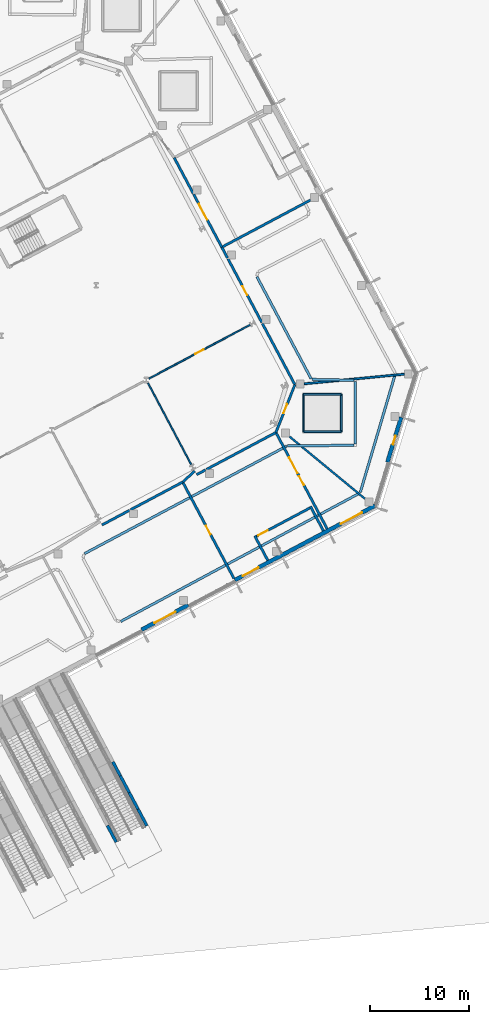
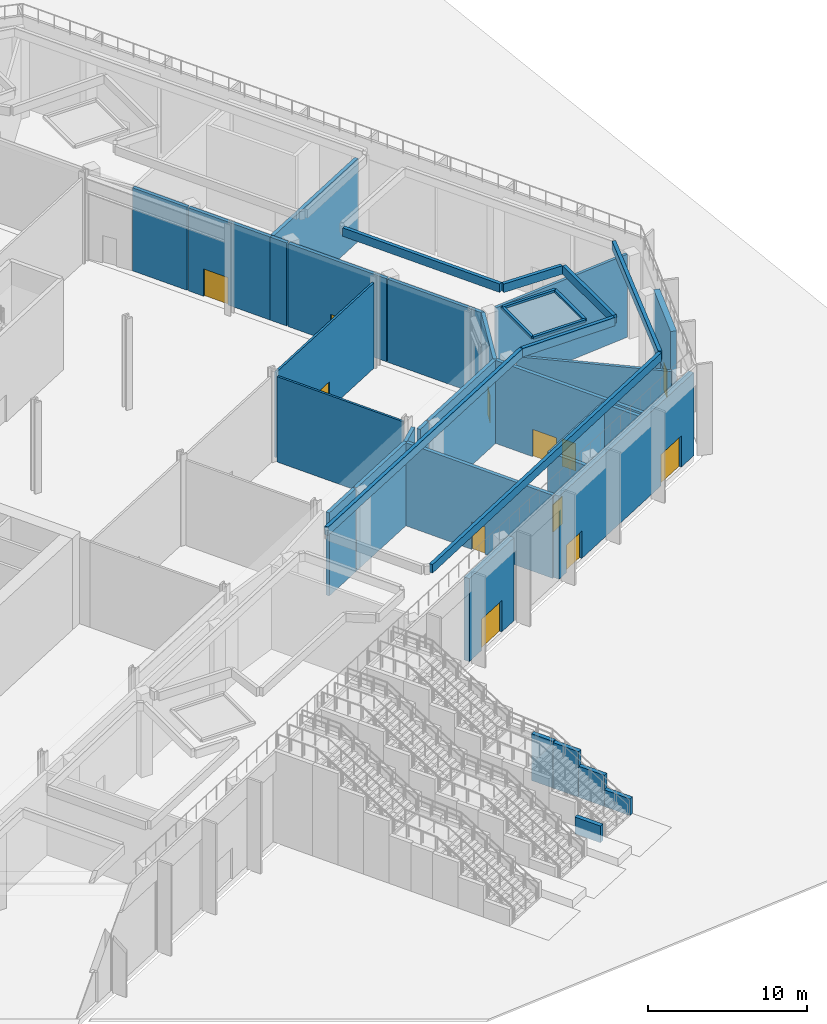
# One storey, part 26 of 57: 40 walls, 12 doors, 12 openings.
"""IFC4 building model written with IfcOpenShell, lengths in metres."""

from ifc_helpers import new_model, si_unit, direction, frame, frame_2d, origin, place, context, subcontext, project, spatial, rectangle, extrude, material, layer, layer_set, type_object, element, fill, save


model = new_model("IFC4")

# Units and contexts
model_context = context("Model", 3, precision=1e-05, world=origin(), true_north=direction((0.0, 1.0)))
body_context = subcontext(model_context, "Body", "Model", "MODEL_VIEW")
ifc_project = project(units=[si_unit("LENGTHUNIT", "METRE"), si_unit("AREAUNIT", "SQUARE_METRE"), si_unit("VOLUMEUNIT", "CUBIC_METRE"), si_unit("PLANEANGLEUNIT", "RADIAN"), si_unit("MASSUNIT", "GRAM", prefix="KILO")], contexts=[model_context])

# Site, building, storey
site_placement = place(None, origin())
site = spatial("IfcSite", under=ifc_project, at=site_placement, CompositionType="ELEMENT")
building_placement = place(site_placement, origin())
building = spatial("IfcBuilding", under=site, at=building_placement, Name="Cormorant Relay Tower", CompositionType="ELEMENT")
storey_placement = place(building_placement, origin())
storey = spatial("IfcBuildingStorey", under=building, at=storey_placement, Name="L00", CompositionType="ELEMENT", Elevation=0.0)

# Wall, opening, door
ifc_material_1 = material(Name="Concrete 40 MPa with granite cladding", Category="masonry")
ifc_layer_1 = layer(ifc_material_1, 0.39990234375)
ifc_layer_set_1 = layer_set([ifc_layer_1], Name="Base facade wall 400")
wall_type_1 = type_object("IfcWallType", Name="Base facade wall 400", PredefinedType="SOLIDWALL", material=ifc_layer_set_1)
wall_1_placement = place(storey_placement, frame((57.2216796875, -6.722900390625, 0.0), z_axis=(0.0, 0.0, 1.0), x_axis=(0.882960613555, 0.4694470736, 0.0)))
wall_1 = element("IfcWall", 1, at=wall_1_placement, inside=storey, type_object=wall_type_1, Name="Base facade wall", PredefinedType="SOLIDWALL", context=body_context, shape_type="SweptSolid", body=[
    extrude(rectangle(XDim=5.32080078125, YDim=0.39990234375, at=frame_2d((2.660400390625, 0.0))), origin(), (0.0, 0.0, 1.0), 6.3701171875),
])
opening_1_placement = place(wall_1_placement, frame((1.460205078125, 0.0, 0.0)))
opening_1 = element("IfcOpeningElement", 2, at=opening_1_placement, cuts=wall_1, Name="Opening PD6-003", PredefinedType="OPENING", context=body_context, shape_type="SweptSolid", body=[
    extrude(rectangle(XDim=2.39990234375, YDim=2.39990234375, at=frame_2d((1.199951171875, 1.199951171875))), frame((0.0, 0.2099609375, 0.0), z_axis=(0.0, -1.0, 0.0), x_axis=(1.0, 0.0, 0.0)), (0.0, 0.0, 1.0), 0.419921875),
])
ifc_material_2 = material(Name="Bronze framed glass door", Category="glass")
door_type_1 = type_object("IfcDoorType", Name="Door entrance double 2400", OperationType="DOUBLE_DOOR_SINGLE_SWING", PredefinedType="DOOR", material=ifc_material_2)
door_1_placement = place(opening_1_placement, frame((2.39990234375, 0.0, 0.0), z_axis=(0.0, 0.0, 1.0), x_axis=(-1.0, 0.0, 0.0)))
door_1 = element("IfcDoor", 3, at=door_1_placement, inside=storey, type_object=door_type_1, Name="Entrance door", OperationType="DOUBLE_DOOR_SINGLE_SWING", OverallHeight=2.39990234375, OverallWidth=2.39990234375, PredefinedType="DOOR", context=body_context, shape_type="SweptSolid", body=[
    extrude(rectangle(XDim=2.39990234375, YDim=2.39990234375, at=frame_2d((1.199951171875, 1.199951171875))), frame((0.0, 0.02490234375, 0.0), z_axis=(0.0, -1.0, 0.0), x_axis=(1.0, 0.0, 0.0)), (0.0, 0.0, 1.0), 0.050048828125),
])
fill(opening_1, door_1)

# Wall, openings, doors
wall_2_placement = place(storey_placement, frame((66.6171875, -1.727294921875, 0.0), z_axis=(0.0, 0.0, 1.0), x_axis=(0.882952470549, 0.469462389071, 0.0)))
wall_2 = element("IfcWall", 4, at=wall_2_placement, inside=storey, type_object=wall_type_1, Name="Base facade wall", PredefinedType="SOLIDWALL", context=body_context, shape_type="SweptSolid", body=[
    extrude(rectangle(XDim=15.9990234375, YDim=0.39990234375, at=frame_2d((7.99951171875, 0.0))), origin(), (0.0, 0.0, 1.0), 6.3701171875),
])
opening_2_placement = place(wall_2_placement, frame((0.89990234375, 0.0, 0.0)))
opening_2 = element("IfcOpeningElement", 5, at=opening_2_placement, cuts=wall_2, Name="Opening PD3-009", PredefinedType="OPENING", context=body_context, shape_type="SweptSolid", body=[
    extrude(rectangle(XDim=1.800048828125, YDim=2.10009765625, at=frame_2d((0.89990234375, 1.050048828125))), frame((0.0, 0.2099609375, 0.0), z_axis=(0.0, -1.0, 0.0), x_axis=(1.0, 0.0, 0.0)), (0.0, 0.0, 1.0), 0.419921875),
])
opening_3_placement = place(wall_2_placement, frame((12.101318359375, 0.0, 0.0)))
opening_3 = element("IfcOpeningElement", 6, at=opening_3_placement, cuts=wall_2, Name="Opening PD6-004", PredefinedType="OPENING", context=body_context, shape_type="SweptSolid", body=[
    extrude(rectangle(XDim=2.39990234375, YDim=2.39990234375, at=frame_2d((1.199951171875, 1.199951171875))), frame((0.0, 0.2099609375, 0.0), z_axis=(0.0, -1.0, 0.0), x_axis=(1.0, 0.0, 0.0)), (0.0, 0.0, 1.0), 0.419921875),
])
ifc_material_3 = material(Name="Steel door leaf", Category="steel")
door_type_2 = type_object("IfcDoorType", Name="Door double 1800", OperationType="DOUBLE_DOOR_SINGLE_SWING", PredefinedType="DOOR", material=ifc_material_3)
door_2_placement = place(opening_2_placement, frame((1.800048828125, 0.0, 0.0), z_axis=(0.0, 0.0, 1.0), x_axis=(-1.0, 0.0, 0.0)))
door_2 = element("IfcDoor", 7, at=door_2_placement, inside=storey, type_object=door_type_2, Name="Exit door", OperationType="DOUBLE_DOOR_SINGLE_SWING", OverallHeight=2.10009765625, OverallWidth=1.800048828125, PredefinedType="DOOR", context=body_context, shape_type="SweptSolid", body=[
    extrude(rectangle(XDim=1.800048828125, YDim=2.10009765625, at=frame_2d((0.89990234375, 1.050048828125))), frame((0.0, 0.02490234375, 0.0), z_axis=(0.0, -1.0, 0.0), x_axis=(1.0, 0.0, 0.0)), (0.0, 0.0, 1.0), 0.050048828125),
])
fill(opening_2, door_2)
door_3_placement = place(opening_3_placement, frame((2.39990234375, 0.0, 0.0), z_axis=(0.0, 0.0, 1.0), x_axis=(-1.0, 0.0, 0.0)))
door_3 = element("IfcDoor", 8, at=door_3_placement, inside=storey, type_object=door_type_1, Name="Entrance door", OperationType="DOUBLE_DOOR_SINGLE_SWING", OverallHeight=2.39990234375, OverallWidth=2.39990234375, PredefinedType="DOOR", context=body_context, shape_type="SweptSolid", body=[
    extrude(rectangle(XDim=2.39990234375, YDim=2.39990234375, at=frame_2d((1.199951171875, 1.199951171875))), frame((0.0, 0.02490234375, 0.0), z_axis=(0.0, -1.0, 0.0), x_axis=(1.0, 0.0, 0.0)), (0.0, 0.0, 1.0), 0.050048828125),
])
fill(opening_3, door_3)

# Wall, opening, door
wall_3_placement = place(storey_placement, frame((81.99560546875, 10.169677734375, 0.0), z_axis=(0.0, 0.0, 1.0), x_axis=(0.292379898693, 0.956302250777, 0.0)))
wall_3 = element("IfcWall", 9, at=wall_3_placement, inside=storey, type_object=wall_type_1, Name="Base facade wall", PredefinedType="SOLIDWALL", context=body_context, shape_type="SweptSolid", body=[
    extrude(rectangle(XDim=4.727783203125, YDim=0.39990234375, at=frame_2d((2.36376953125, 0.0))), origin(), (0.0, 0.0, 1.0), 6.3701171875),
])
opening_4_placement = place(wall_3_placement, frame((1.864013671875, 0.0, 0.0)))
opening_4 = element("IfcOpeningElement", 10, at=opening_4_placement, cuts=wall_3, Name="Opening PD4-001", PredefinedType="OPENING", context=body_context, shape_type="SweptSolid", body=[
    extrude(rectangle(XDim=0.89990234375, YDim=2.10009765625, at=frame_2d((0.449951171875, 1.050048828125))), frame((0.0, 0.2099609375, 0.0), z_axis=(0.0, -1.0, 0.0), x_axis=(1.0, 0.0, 0.0)), (0.0, 0.0, 1.0), 0.419921875),
])
ifc_material_4 = material(Name="Steel door leaf", Category="steel")
door_type_3 = type_object("IfcDoorType", Name="Door service 900", OperationType="SINGLE_SWING_LEFT", PredefinedType="DOOR", material=ifc_material_4)
door_4_placement = place(opening_4_placement, frame((0.89990234375, 0.0, 0.0), z_axis=(0.0, 0.0, 1.0), x_axis=(-1.0, 0.0, 0.0)))
door_4 = element("IfcDoor", 11, at=door_4_placement, inside=storey, type_object=door_type_3, Name="Service door", OperationType="SINGLE_SWING_RIGHT", OverallHeight=2.10009765625, OverallWidth=0.89990234375, PredefinedType="DOOR", context=body_context, shape_type="SweptSolid", body=[
    extrude(rectangle(XDim=0.89990234375, YDim=2.10009765625, at=frame_2d((0.449951171875, 1.050048828125))), frame((0.0, 0.02490234375, 0.0), z_axis=(0.0, -1.0, 0.0), x_axis=(1.0, 0.0, 0.0)), (0.0, 0.0, 1.0), 0.050048828125),
])
fill(opening_4, door_4)

# Walls
ifc_material_5 = material(Name="Concrete 30 MPa upstand", Category="concrete")
ifc_layer_2 = layer(ifc_material_5, 0.199951171875)
ifc_layer_set_2 = layer_set([ifc_layer_2], Name="Deck rooflight kerb 200")
wall_type_2 = type_object("IfcWallType", Name="Deck rooflight kerb 200", PredefinedType="SOLIDWALL", material=ifc_layer_set_2)
for number, where, z_axis, x_axis, name in (
    (12, (77.3349609375, 13.212890625, 6.919921875), (0.0, 0.0, 1.0), (-1.0, 0.0, 0.0), "Rooflight kerb"),
    (13, (73.534912109375, 13.212890625, 6.919921875), (0.0, 0.0, 1.0), (0.0, 1.0, 0.0), "Rooflight kerb"),
    (14, (73.534912109375, 17.012939453125, 6.919921875), (0.0, 0.0, 1.0), (1.0, 0.0, 0.0), "Rooflight kerb"),
    (15, (77.3349609375, 17.012939453125, 6.919921875), (0.0, 0.0, 1.0), (0.0, -1.0, 0.0), "Rooflight kerb"),
):
    element("IfcWall", number, at=place(storey_placement, frame(where, z_axis=z_axis, x_axis=x_axis)), inside=storey, type_object=wall_type_2, Name=name, PredefinedType="SOLIDWALL", context=body_context, shape_type="SweptSolid", body=[
        extrude(rectangle(XDim=3.800048828125, YDim=0.199951171875, at=frame_2d((1.89990234375, 0.0))), origin(), (0.0, 0.0, 1.0), 0.18017578125),
    ])

# Wall, opening, door
ifc_material_6 = material(Name="Concrete masonry 20 MPa", Category="masonry")
ifc_layer_3 = layer(ifc_material_6, 0.25)
ifc_layer_set_3 = layer_set([ifc_layer_3], Name="Fire separation wall 250")
wall_type_3 = type_object("IfcWallType", Name="Fire separation wall 250", PredefinedType="SOLIDWALL", material=ifc_layer_set_3)
wall_4_placement = place(storey_placement, frame((66.5234375, -1.55078125, 0.0), z_axis=(0.0, 0.0, 1.0), x_axis=(-0.469471626463, 0.882947559001, 0.0)))
wall_4 = element("IfcWall", 16, at=wall_4_placement, inside=storey, type_object=wall_type_3, Name="Partition", PredefinedType="SOLIDWALL", context=body_context, shape_type="SweptSolid", body=[
    extrude(rectangle(XDim=11.000244140625, YDim=0.25, at=frame_2d((5.5, 0.0))), origin(), (0.0, 0.0, 1.0), 6.3701171875),
])
opening_5_placement = place(wall_4_placement, frame((5.0, 0.0, 0.0)))
opening_5 = element("IfcOpeningElement", 17, at=opening_5_placement, cuts=wall_4, Name="Opening PD1-055", PredefinedType="OPENING", context=body_context, shape_type="SweptSolid", body=[
    extrude(rectangle(XDim=1.0, YDim=2.10009765625, at=frame_2d((0.5, 1.050048828125))), frame((0.0, 0.135009765625, 0.0), z_axis=(0.0, -1.0, 0.0), x_axis=(1.0, 0.0, 0.0)), (0.0, 0.0, 1.0), 0.27001953125),
])
ifc_material_7 = material(Name="Steel door leaf", Category="steel")
door_type_4 = type_object("IfcDoorType", Name="Door single 1000", OperationType="SINGLE_SWING_LEFT", PredefinedType="DOOR", material=ifc_material_7)
door_5_placement = place(opening_5_placement, frame((1.0, 0.0, 0.0), z_axis=(0.0, 0.0, 1.0), x_axis=(-1.0, 0.0, 0.0)))
door_5 = element("IfcDoor", 18, at=door_5_placement, inside=storey, type_object=door_type_4, Name="Door", OperationType="SINGLE_SWING_LEFT", OverallHeight=2.10009765625, OverallWidth=1.0, PredefinedType="DOOR", context=body_context, shape_type="SweptSolid", body=[
    extrude(rectangle(XDim=1.0, YDim=2.10009765625, at=frame_2d((0.5, 1.050048828125))), frame((0.0, 0.02490234375, 0.0), z_axis=(0.0, -1.0, 0.0), x_axis=(1.0, 0.0, 0.0)), (0.0, 0.0, 1.0), 0.050048828125),
])
fill(opening_5, door_5)

# Walls
wall_5_placement = place(storey_placement, frame((61.36279296875, 8.16357421875, 0.0), z_axis=(0.0, 0.0, 1.0), x_axis=(-0.882945796858, -0.469474940556, 0.0)))
element("IfcWall", 19, at=wall_5_placement, inside=storey, type_object=wall_type_3, Name="Partition", PredefinedType="SOLIDWALL", context=body_context, shape_type="SweptSolid", body=[
    extrude(rectangle(XDim=5.954833984375, YDim=0.25, at=frame_2d((2.9775390625, 0.0))), origin(), (0.0, 0.0, 1.0), 6.3701171875),
])
wall_6_placement = place(storey_placement, frame((56.01708984375, 5.3212890625, 0.0), z_axis=(0.0, 0.0, 1.0), x_axis=(-0.882921481106, -0.469520668555, 0.0)))
element("IfcWall", 20, at=wall_6_placement, inside=storey, type_object=wall_type_3, Name="Partition", PredefinedType="SOLIDWALL", context=body_context, shape_type="SweptSolid", body=[
    extrude(rectangle(XDim=3.158447265625, YDim=0.25, at=frame_2d((1.5791015625, 0.0))), origin(), (0.0, 0.0, 1.0), 6.3701171875),
])

# Wall, openings, doors
wall_7_placement = place(storey_placement, frame((75.918701171875, 3.445068359375, 0.0), z_axis=(0.0, 0.0, 1.0), x_axis=(-0.469463523634, 0.882951867305, 0.0)))
wall_7 = element("IfcWall", 21, at=wall_7_placement, inside=storey, type_object=wall_type_3, Name="Partition", PredefinedType="SOLIDWALL", context=body_context, shape_type="SweptSolid", body=[
    extrude(rectangle(XDim=11.0, YDim=0.25, at=frame_2d((5.5, 0.0))), origin(), (0.0, 0.0, 1.0), 6.3701171875),
])
opening_6_placement = place(wall_7_placement, frame((5.0, 0.0, 0.0)))
opening_6 = element("IfcOpeningElement", 22, at=opening_6_placement, cuts=wall_7, Name="Opening PD1-056", PredefinedType="OPENING", context=body_context, shape_type="SweptSolid", body=[
    extrude(rectangle(XDim=1.0, YDim=2.10009765625, at=frame_2d((0.5, 1.050048828125))), frame((0.0, 0.135009765625, 0.0), z_axis=(0.0, -1.0, 0.0), x_axis=(1.0, 0.0, 0.0)), (0.0, 0.0, 1.0), 0.27001953125),
])
opening_7_placement = place(wall_7_placement, frame((6.35009765625, 0.0, 0.0)))
opening_7 = element("IfcOpeningElement", 23, at=opening_7_placement, cuts=wall_7, Name="Opening PD3-015", PredefinedType="OPENING", context=body_context, shape_type="SweptSolid", body=[
    extrude(rectangle(XDim=1.800048828125, YDim=2.10009765625, at=frame_2d((0.89990234375, 1.050048828125))), frame((0.0, 0.135009765625, 0.0), z_axis=(0.0, -1.0, 0.0), x_axis=(1.0, 0.0, 0.0)), (0.0, 0.0, 1.0), 0.27001953125),
])
door_6_placement = place(opening_7_placement, frame((1.800048828125, 0.0, 0.0), z_axis=(0.0, 0.0, 1.0), x_axis=(-1.0, 0.0, 0.0)))
door_6 = element("IfcDoor", 24, at=door_6_placement, inside=storey, type_object=door_type_2, Name="Door", OperationType="DOUBLE_DOOR_SINGLE_SWING", OverallHeight=2.10009765625, OverallWidth=1.800048828125, PredefinedType="DOOR", context=body_context, shape_type="SweptSolid", body=[
    extrude(rectangle(XDim=1.800048828125, YDim=2.10009765625, at=frame_2d((0.89990234375, 1.050048828125))), frame((0.0, 0.02490234375, 0.0), z_axis=(0.0, -1.0, 0.0), x_axis=(1.0, 0.0, 0.0)), (0.0, 0.0, 1.0), 0.050048828125),
])
fill(opening_7, door_6)
door_7_placement = place(opening_6_placement, frame((1.0, 0.0, 0.0), z_axis=(0.0, 0.0, 1.0), x_axis=(-1.0, 0.0, 0.0)))
door_7 = element("IfcDoor", 25, at=door_7_placement, inside=storey, type_object=door_type_4, Name="Door", OperationType="SINGLE_SWING_LEFT", OverallHeight=2.10009765625, OverallWidth=1.0, PredefinedType="DOOR", context=body_context, shape_type="SweptSolid", body=[
    extrude(rectangle(XDim=1.0, YDim=2.10009765625, at=frame_2d((0.5, 1.050048828125))), frame((0.0, 0.02490234375, 0.0), z_axis=(0.0, -1.0, 0.0), x_axis=(1.0, 0.0, 0.0)), (0.0, 0.0, 1.0), 0.050048828125),
])
fill(opening_6, door_7)

# Walls
wall_8_placement = place(storey_placement, frame((62.5732421875, 9.26806640625, 0.0), z_axis=(0.0, 0.0, 1.0), x_axis=(-0.739544046234, -0.673108166404, 0.0)))
element("IfcWall", 26, at=wall_8_placement, inside=storey, type_object=wall_type_3, Name="Partition", PredefinedType="SOLIDWALL", context=body_context, shape_type="SweptSolid", body=[
    extrude(rectangle(XDim=1.646240234375, YDim=0.25, at=frame_2d((0.8232421875, 0.0))), origin(), (0.0, 0.0, 1.0), 6.3701171875),
])
wall_9_placement = place(storey_placement, frame((70.75830078125, 13.1591796875, 0.0), z_axis=(0.0, 0.0, 1.0), x_axis=(-0.882950480299, -0.46946613226, 0.0)))
element("IfcWall", 27, at=wall_9_placement, inside=storey, type_object=wall_type_3, Name="Partition", PredefinedType="SOLIDWALL", context=body_context, shape_type="SweptSolid", body=[
    extrude(rectangle(XDim=7.94140625, YDim=0.25, at=frame_2d((3.970703125, 0.0))), origin(), (0.0, 0.0, 1.0), 6.3701171875),
])
wall_10_placement = place(storey_placement, frame((63.658935546875, 9.384521484375, 0.0), z_axis=(0.0, 0.0, 1.0), x_axis=(-0.882866012348, -0.469624961263, 0.0)))
element("IfcWall", 28, at=wall_10_placement, inside=storey, type_object=wall_type_3, Name="Partition", PredefinedType="SOLIDWALL", context=body_context, shape_type="SweptSolid", body=[
    extrude(rectangle(XDim=1.01318359375, YDim=0.25, at=frame_2d((0.506591796875, 0.0))), origin(), (0.0, 0.0, 1.0), 6.3701171875),
])

# Wall, opening, door
wall_11_placement = place(storey_placement, frame((72.669189453125, 17.97119140625, 0.0), z_axis=(0.0, 0.0, 1.0), x_axis=(-0.370009777786, -0.929027859831, 0.0)))
wall_11 = element("IfcWall", 29, at=wall_11_placement, inside=storey, type_object=wall_type_3, Name="Partition", PredefinedType="SOLIDWALL", context=body_context, shape_type="SweptSolid", body=[
    extrude(rectangle(XDim=5.18359375, YDim=0.25, at=frame_2d((2.591796875, 0.0))), origin(), (0.0, 0.0, 1.0), 6.3701171875),
])
opening_8_placement = place(wall_11_placement, frame((2.092041015625, 0.0, 0.0)))
opening_8 = element("IfcOpeningElement", 30, at=opening_8_placement, cuts=wall_11, Name="Opening PD1-059", PredefinedType="OPENING", context=body_context, shape_type="SweptSolid", body=[
    extrude(rectangle(XDim=1.0, YDim=2.10009765625, at=frame_2d((0.5, 1.050048828125))), frame((0.0, 0.135009765625, 0.0), z_axis=(0.0, -1.0, 0.0), x_axis=(1.0, 0.0, 0.0)), (0.0, 0.0, 1.0), 0.27001953125),
])
door_8_placement = place(opening_8_placement, origin())
door_8 = element("IfcDoor", 31, at=door_8_placement, inside=storey, type_object=door_type_4, Name="Door", OperationType="SINGLE_SWING_RIGHT", OverallHeight=2.10009765625, OverallWidth=1.0, PredefinedType="DOOR", context=body_context, shape_type="SweptSolid", body=[
    extrude(rectangle(XDim=1.0, YDim=2.10009765625, at=frame_2d((0.5, 1.050048828125))), frame((0.0, 0.02490234375, 0.0), z_axis=(0.0, -1.0, 0.0), x_axis=(1.0, 0.0, 0.0)), (0.0, 0.0, 1.0), 0.050048828125),
])
fill(opening_8, door_8)

# Walls
wall_12_placement = place(storey_placement, frame((74.241943359375, 36.584716796875, 0.0), z_axis=(0.0, 0.0, 1.0), x_axis=(-0.882936179938, -0.469493026738, 0.0)))
element("IfcWall", 32, at=wall_12_placement, inside=storey, type_object=wall_type_3, Name="Partition", PredefinedType="SOLIDWALL", context=body_context, shape_type="SweptSolid", body=[
    extrude(rectangle(XDim=10.127197265625, YDim=0.25, at=frame_2d((5.0634765625, 0.0))), origin(), (0.0, 0.0, 1.0), 6.3701171875),
])
wall_13_placement = place(storey_placement, frame((65.302978515625, 31.824951171875, 0.0), z_axis=(0.0, 0.0, 1.0), x_axis=(0.46947695358, -0.882944726502, 0.0)))
element("IfcWall", 33, at=wall_13_placement, inside=storey, type_object=wall_type_3, Name="Partition", PredefinedType="SOLIDWALL", context=body_context, shape_type="SweptSolid", body=[
    extrude(rectangle(XDim=1.220458984375, YDim=0.25, at=frame_2d((0.6103515625, 0.0))), origin(), (0.0, 0.0, 1.0), 6.3701171875),
])

# Wall, opening, door
wall_14_placement = place(storey_placement, frame((65.9228515625, 30.658935546875, 0.0), z_axis=(0.0, 0.0, 1.0), x_axis=(0.469479540895, -0.882943350777, 0.0)))
wall_14 = element("IfcWall", 34, at=wall_14_placement, inside=storey, type_object=wall_type_3, Name="Partition", PredefinedType="SOLIDWALL", context=body_context, shape_type="SweptSolid", body=[
    extrude(rectangle(XDim=7.282958984375, YDim=0.25, at=frame_2d((3.6416015625, 0.0))), origin(), (0.0, 0.0, 1.0), 6.3701171875),
])
opening_9_placement = place(wall_14_placement, frame((3.14111328125, 0.0, 0.0)))
opening_9 = element("IfcOpeningElement", 35, at=opening_9_placement, cuts=wall_14, Name="Opening PD1-060", PredefinedType="OPENING", context=body_context, shape_type="SweptSolid", body=[
    extrude(rectangle(XDim=1.0, YDim=2.10009765625, at=frame_2d((0.5, 1.050048828125))), frame((0.0, 0.135009765625, 0.0), z_axis=(0.0, -1.0, 0.0), x_axis=(1.0, 0.0, 0.0)), (0.0, 0.0, 1.0), 0.27001953125),
])
door_9_placement = place(opening_9_placement, origin())
door_9 = element("IfcDoor", 36, at=door_9_placement, inside=storey, type_object=door_type_4, Name="Door", OperationType="SINGLE_SWING_LEFT", OverallHeight=2.10009765625, OverallWidth=1.0, PredefinedType="DOOR", context=body_context, shape_type="SweptSolid", body=[
    extrude(rectangle(XDim=1.0, YDim=2.10009765625, at=frame_2d((0.5, 1.050048828125))), frame((0.0, 0.02490234375, 0.0), z_axis=(0.0, -1.0, 0.0), x_axis=(1.0, 0.0, 0.0)), (0.0, 0.0, 1.0), 0.050048828125),
])
fill(opening_9, door_9)

# Walls
wall_15_placement = place(storey_placement, frame((69.388671875, 24.14111328125, 0.0), z_axis=(0.0, 0.0, 1.0), x_axis=(0.469461736628, -0.882952817449, 0.0)))
element("IfcWall", 37, at=wall_15_placement, inside=storey, type_object=wall_type_3, Name="Partition", PredefinedType="SOLIDWALL", context=body_context, shape_type="SweptSolid", body=[
    extrude(rectangle(XDim=6.98779296875, YDim=0.25, at=frame_2d((3.493896484375, 0.0))), origin(), (0.0, 0.0, 1.0), 6.3701171875),
])
wall_16_placement = place(storey_placement, frame((60.50537109375, 40.847900390625, 0.0), z_axis=(0.0, 0.0, 1.0), x_axis=(0.469448377302, -0.882959920409, 0.0)))
element("IfcWall", 38, at=wall_16_placement, inside=storey, type_object=wall_type_3, Name="Partition", PredefinedType="SOLIDWALL", context=body_context, shape_type="SweptSolid", body=[
    extrude(rectangle(XDim=4.05908203125, YDim=0.25, at=frame_2d((2.029541015625, 0.0))), origin(), (0.0, 0.0, 1.0), 6.3701171875),
])

# Wall, opening, door
wall_17_placement = place(storey_placement, frame((62.457275390625, 37.177001953125, 0.0), z_axis=(0.0, 0.0, 1.0), x_axis=(0.469458615732, -0.882954476808, 0.0)))
wall_17 = element("IfcWall", 39, at=wall_17_placement, inside=storey, type_object=wall_type_3, Name="Partition", PredefinedType="SOLIDWALL", context=body_context, shape_type="SweptSolid", body=[
    extrude(rectangle(XDim=6.0595703125, YDim=0.25, at=frame_2d((3.02978515625, 0.0))), origin(), (0.0, 0.0, 1.0), 6.3701171875),
])
opening_10_placement = place(wall_17_placement, frame((1.1298828125, 0.0, 0.0)))
opening_10 = element("IfcOpeningElement", 40, at=opening_10_placement, cuts=wall_17, Name="Opening PD3-017", PredefinedType="OPENING", context=body_context, shape_type="SweptSolid", body=[
    extrude(rectangle(XDim=1.800048828125, YDim=2.10009765625, at=frame_2d((0.89990234375, 1.050048828125))), frame((0.0, 0.135009765625, 0.0), z_axis=(0.0, -1.0, 0.0), x_axis=(1.0, 0.0, 0.0)), (0.0, 0.0, 1.0), 0.27001953125),
])
door_10_placement = place(opening_10_placement, origin())
door_10 = element("IfcDoor", 41, at=door_10_placement, inside=storey, type_object=door_type_2, Name="Door", OperationType="DOUBLE_DOOR_SINGLE_SWING", OverallHeight=2.10009765625, OverallWidth=1.800048828125, PredefinedType="DOOR", context=body_context, shape_type="SweptSolid", body=[
    extrude(rectangle(XDim=1.800048828125, YDim=2.10009765625, at=frame_2d((0.89990234375, 1.050048828125))), frame((0.0, 0.02490234375, 0.0), z_axis=(0.0, -1.0, 0.0), x_axis=(1.0, 0.0, 0.0)), (0.0, 0.0, 1.0), 0.050048828125),
])
fill(opening_10, door_10)

# Walls
wall_18_placement = place(storey_placement, frame((69.93701171875, 0.264404296875, 0.0), z_axis=(0.0, 0.0, 1.0), x_axis=(-0.469533439143, 0.882914689835, 0.0)))
element("IfcWall", 42, at=wall_18_placement, inside=storey, type_object=wall_type_3, Name="Stair enclosure wall", PredefinedType="SOLIDWALL", context=body_context, shape_type="SweptSolid", body=[
    extrude(rectangle(XDim=2.800048828125, YDim=0.25, at=frame_2d((1.39990234375, 0.0))), origin(), (0.0, 0.0, 1.0), 6.3701171875),
])
wall_19_placement = place(storey_placement, frame((75.543701171875, 3.245361328125, 0.0), z_axis=(0.0, 0.0, 1.0), x_axis=(-0.469497295046, 0.882933910293, 0.0)))
element("IfcWall", 43, at=wall_19_placement, inside=storey, type_object=wall_type_3, Name="Stair enclosure wall", PredefinedType="SOLIDWALL", context=body_context, shape_type="SweptSolid", body=[
    extrude(rectangle(XDim=2.80029296875, YDim=0.25, at=frame_2d((1.400146484375, 0.0))), origin(), (0.0, 0.0, 1.0), 6.3701171875),
])

# Wall, opening, door
wall_20_placement = place(storey_placement, frame((68.57080078125, 2.5673828125, 0.0), z_axis=(0.0, 0.0, 1.0), x_axis=(0.882937969766, 0.469489660743, 0.0)))
wall_20 = element("IfcWall", 44, at=wall_20_placement, inside=storey, type_object=wall_type_3, Name="Stair enclosure wall", PredefinedType="SOLIDWALL", context=body_context, shape_type="SweptSolid", body=[
    extrude(rectangle(XDim=6.60009765625, YDim=0.25, at=frame_2d((3.300048828125, 0.0))), origin(), (0.0, 0.0, 1.0), 6.3701171875),
])
opening_11_placement = place(wall_20_placement, frame((0.449951171875, 0.0, 0.0)))
opening_11 = element("IfcOpeningElement", 45, at=opening_11_placement, cuts=wall_20, Name="Opening PD10-009", PredefinedType="OPENING", context=body_context, shape_type="SweptSolid", body=[
    extrude(rectangle(XDim=1.10009765625, YDim=2.10009765625, at=frame_2d((0.550048828125, 1.050048828125))), frame((0.0, 0.135009765625, 0.0), z_axis=(0.0, -1.0, 0.0), x_axis=(1.0, 0.0, 0.0)), (0.0, 0.0, 1.0), 0.27001953125),
])
ifc_material_8 = material(Name="Steel fire door leaf", Category="steel")
door_type_5 = type_object("IfcDoorType", Name="Door stair 1100", OperationType="SINGLE_SWING_LEFT", PredefinedType="DOOR", material=ifc_material_8)
door_11_placement = place(opening_11_placement, frame((1.10009765625, 0.0, 0.0), z_axis=(0.0, 0.0, 1.0), x_axis=(-1.0, 0.0, 0.0)))
door_11 = element("IfcDoor", 46, at=door_11_placement, inside=storey, type_object=door_type_5, Name="Stair door", OperationType="SINGLE_SWING_RIGHT", OverallHeight=2.10009765625, OverallWidth=1.10009765625, PredefinedType="DOOR", context=body_context, shape_type="SweptSolid", body=[
    extrude(rectangle(XDim=1.10009765625, YDim=2.10009765625, at=frame_2d((0.550048828125, 1.050048828125))), frame((0.0, 0.02490234375, 0.0), z_axis=(0.0, -1.0, 0.0), x_axis=(1.0, 0.0, 0.0)), (0.0, 0.0, 1.0), 0.050048828125),
])
fill(opening_11, door_11)

ifc_material_9 = material(Name="Gypsum board on steel stud", Category="steel")
ifc_layer_4 = layer(ifc_material_9, 0.14990234375)
ifc_layer_set_4 = layer_set([ifc_layer_4], Name="Partition 150")
wall_type_4 = type_object("IfcWallType", Name="Partition 150", PredefinedType="PARTITIONING", material=ifc_layer_set_4)
wall_21_placement = place(storey_placement, frame((57.95654296875, 18.584228515625, 0.0), z_axis=(0.0, 0.0, 1.0), x_axis=(0.882944872937, 0.469476678179, 0.0)))
wall_21 = element("IfcWall", 47, at=wall_21_placement, inside=storey, type_object=wall_type_4, Name="Partition", PredefinedType="PARTITIONING", context=body_context, shape_type="SweptSolid", body=[
    extrude(rectangle(XDim=11.586181640625, YDim=0.14990234375, at=frame_2d((5.79296875, 0.0))), origin(), (0.0, 0.0, 1.0), 6.550048828125),
])
opening_12_placement = place(wall_21_placement, frame((5.272705078125, 0.0, 0.0)))
opening_12 = element("IfcOpeningElement", 48, at=opening_12_placement, cuts=wall_21, Name="Opening PD1-083", PredefinedType="OPENING", context=body_context, shape_type="SweptSolid", body=[
    extrude(rectangle(XDim=1.0, YDim=2.10009765625, at=frame_2d((0.5, 1.050048828125))), frame((0.0, 0.0849609375, 0.0), z_axis=(0.0, -1.0, 0.0), x_axis=(1.0, 0.0, 0.0)), (0.0, 0.0, 1.0), 0.169921875),
])
door_12_placement = place(opening_12_placement, frame((1.0, 0.0, 0.0), z_axis=(0.0, 0.0, 1.0), x_axis=(-1.0, 0.0, 0.0)))
door_12 = element("IfcDoor", 49, at=door_12_placement, inside=storey, type_object=door_type_4, Name="Door", OperationType="SINGLE_SWING_RIGHT", OverallHeight=2.10009765625, OverallWidth=1.0, PredefinedType="DOOR", context=body_context, shape_type="SweptSolid", body=[
    extrude(rectangle(XDim=1.0, YDim=2.10009765625, at=frame_2d((0.5, 1.050048828125))), frame((0.0, 0.02490234375, 0.0), z_axis=(0.0, -1.0, 0.0), x_axis=(1.0, 0.0, 0.0)), (0.0, 0.0, 1.0), 0.050048828125),
])
fill(opening_12, door_12)

# Walls
wall_22_placement = place(storey_placement, frame((62.240234375, 9.894287109375, 0.0), z_axis=(0.0, 0.0, 1.0), x_axis=(-0.469471003187, 0.882947890403, 0.0)))
element("IfcWall", 50, at=wall_22_placement, inside=storey, type_object=wall_type_4, Name="Partition", PredefinedType="PARTITIONING", context=body_context, shape_type="SweptSolid", body=[
    extrude(rectangle(XDim=9.326171875, YDim=0.14990234375, at=frame_2d((4.6630859375, 0.0))), origin(), (0.0, 0.0, 1.0), 6.550048828125),
])
ifc_material_10 = material(Name="Concrete masonry 20 MPa", Category="masonry")
ifc_layer_5 = layer(ifc_material_10, 0.199951171875)
ifc_layer_set_5 = layer_set([ifc_layer_5], Name="Plant room wall 200")
wall_type_5 = type_object("IfcWallType", Name="Plant room wall 200", PredefinedType="PARTITIONING", material=ifc_layer_set_5)
wall_23_placement = place(storey_placement, frame((79.737060546875, 6.469970703125, 0.0), z_axis=(0.0, 0.0, 1.0), x_axis=(-0.771621787966, 0.63608161138, 0.0)))
element("IfcWall", 51, at=wall_23_placement, inside=storey, type_object=wall_type_5, Name="Partition", PredefinedType="PARTITIONING", context=body_context, shape_type="SweptSolid", body=[
    extrude(rectangle(XDim=9.89599609375, YDim=0.199951171875, at=frame_2d((4.947998046875, 0.0))), origin(), (0.0, 0.0, 1.0), 6.3701171875),
])
wall_24_placement = place(storey_placement, frame((83.68994140625, 19.0322265625, 0.0), z_axis=(0.0, 0.0, 1.0), x_axis=(-0.995397009029, -0.095837333105, 0.0)))
element("IfcWall", 52, at=wall_24_placement, inside=storey, type_object=wall_type_5, Name="Partition", PredefinedType="PARTITIONING", context=body_context, shape_type="SweptSolid", body=[
    extrude(rectangle(XDim=10.128662109375, YDim=0.199951171875, at=frame_2d((5.064453125, 0.0))), origin(), (0.0, 0.0, 1.0), 6.3701171875),
])
ifc_material_11 = material(Name="Concrete 40 MPa", Category="concrete")
ifc_layer_6 = layer(ifc_material_11, 0.25)
ifc_layer_set_6 = layer_set([ifc_layer_6], Name="Planter kerb 250")
wall_type_6 = type_object("IfcWallType", Name="Planter kerb 250", PredefinedType="STANDARD", material=ifc_layer_set_6)
wall_25_placement = place(storey_placement, frame((71.913330078125, 11.80615234375, 7.0), z_axis=(0.0, 0.0, 1.0), x_axis=(0.999958126226, 0.0091512728, 0.0)))
element("IfcWall", 53, at=wall_25_placement, inside=storey, type_object=wall_type_6, Name="PLANTER 07 kerb", PredefinedType="STANDARD", context=body_context, shape_type="SweptSolid", body=[
    extrude(rectangle(XDim=6.722900390625, YDim=0.25, at=frame_2d((3.361328125, 0.0))), origin(), (0.0, 0.0, 1.0), 0.64990234375),
])
wall_26_placement = place(storey_placement, frame((78.760009765625, 11.9853515625, 7.0), z_axis=(0.0, 0.0, 1.0), x_axis=(-0.003678581112, 0.999993233998, 0.0)))
element("IfcWall", 54, at=wall_26_placement, inside=storey, type_object=wall_type_6, Name="PLANTER 07 kerb", PredefinedType="STANDARD", context=body_context, shape_type="SweptSolid", body=[
    extrude(rectangle(XDim=6.304931640625, YDim=0.25, at=frame_2d((3.15234375, 0.0))), origin(), (0.0, 0.0, 1.0), 0.64990234375),
])
wall_27_placement = place(storey_placement, frame((78.614501953125, 18.414794921875, 7.0), z_axis=(0.0, 0.0, 1.0), x_axis=(-0.999755151848, 0.022127728178, 0.0)))
element("IfcWall", 55, at=wall_27_placement, inside=storey, type_object=wall_type_6, Name="PLANTER 07 kerb", PredefinedType="STANDARD", context=body_context, shape_type="SweptSolid", body=[
    extrude(rectangle(XDim=4.20361328125, YDim=0.25, at=frame_2d((2.101806640625, 0.0))), origin(), (0.0, 0.0, 1.0), 0.64990234375),
])
wall_28_placement = place(storey_placement, frame((74.304443359375, 18.57421875, 7.0), z_axis=(0.0, 0.0, 1.0), x_axis=(-0.469619931493, 0.882868687827, 0.0)))
element("IfcWall", 56, at=wall_28_placement, inside=storey, type_object=wall_type_6, Name="PLANTER 07 kerb", PredefinedType="STANDARD", context=body_context, shape_type="SweptSolid", body=[
    extrude(rectangle(XDim=11.63720703125, YDim=0.25, at=frame_2d((5.818603515625, 0.0))), origin(), (0.0, 0.0, 1.0), 0.64990234375),
])
wall_29_placement = place(storey_placement, frame((82.785400390625, 19.0498046875, 7.0), z_axis=(0.0, 0.0, 1.0), x_axis=(-0.28349877708, -0.958972597833, 0.0)))
element("IfcWall", 57, at=wall_29_placement, inside=storey, type_object=wall_type_6, Name="PLANTER 07 kerb", PredefinedType="STANDARD", context=body_context, shape_type="SweptSolid", body=[
    extrude(rectangle(XDim=12.43701171875, YDim=0.25, at=frame_2d((6.218505859375, 0.0))), origin(), (0.0, 0.0, 1.0), 0.64990234375),
])
wall_30_placement = place(storey_placement, frame((79.19873046875, 7.04833984375, 7.0), z_axis=(0.0, 0.0, 1.0), x_axis=(-0.880943825578, -0.473220853488, 0.0)))
element("IfcWall", 58, at=wall_30_placement, inside=storey, type_object=wall_type_6, Name="PLANTER 07 kerb", PredefinedType="STANDARD", context=body_context, shape_type="SweptSolid", body=[
    extrude(rectangle(XDim=27.337158203125, YDim=0.25, at=frame_2d((13.66845703125, 0.0))), origin(), (0.0, 0.0, 1.0), 0.64990234375),
])
wall_31_placement = place(storey_placement, frame((51.477783203125, 0.9541015625, 7.0), z_axis=(0.0, 0.0, 1.0), x_axis=(0.88290924417, 0.469543679075, 0.0)))
element("IfcWall", 59, at=wall_31_placement, inside=storey, type_object=wall_type_6, Name="PLANTER 07 kerb", PredefinedType="STANDARD", context=body_context, shape_type="SweptSolid", body=[
    extrude(rectangle(XDim=23.080810546875, YDim=0.25, at=frame_2d((11.54052734375, 0.0))), origin(), (0.0, 0.0, 1.0), 0.64990234375),
])
ifc_material_12 = material(Name="Concrete 40 MPa with granite cladding", Category="masonry")
ifc_layer_7 = layer(ifc_material_12, 0.300048828125)
ifc_layer_set_7 = layer_set([ifc_layer_7], Name="Stair cheek wall 300")
wall_type_7 = type_object("IfcWallType", Name="Stair cheek wall 300", PredefinedType="SOLIDWALL", material=ifc_layer_set_7)
wall_32_placement = place(storey_placement, frame((53.769287109375, -26.453369140625, 0.0), z_axis=(0.0, 0.0, 1.0), x_axis=(0.469433943093, -0.882967594577, 0.0)))
element("IfcWall", 60, at=wall_32_placement, inside=storey, type_object=wall_type_7, Name="Stair cheek wall", PredefinedType="SOLIDWALL", context=body_context, shape_type="SweptSolid", body=[
    extrude(rectangle(XDim=1.89990234375, YDim=0.300048828125, at=frame_2d((0.949951171875, 0.0))), origin(), (0.0, 0.0, 1.0), 1.282958984375),
])
wall_33_placement = place(storey_placement, frame((54.324462890625, -20.042236328125, 0.0), z_axis=(0.0, 0.0, 1.0), x_axis=(0.469534519898, -0.882914115089, 0.0)))
element("IfcWall", 61, at=wall_33_placement, inside=storey, type_object=wall_type_7, Name="Stair cheek wall", PredefinedType="SOLIDWALL", context=body_context, shape_type="SweptSolid", body=[
    extrude(rectangle(XDim=1.599853515625, YDim=0.300048828125, at=frame_2d((0.7998046875, 0.0))), origin(), (0.0, 0.0, 1.0), 3.5869140625),
])
wall_34_placement = place(storey_placement, frame((55.07568359375, -21.454833984375, 0.0), z_axis=(0.0, 0.0, 1.0), x_axis=(0.469380683019, -0.882995908489, 0.0)))
element("IfcWall", 62, at=wall_34_placement, inside=storey, type_object=wall_type_7, Name="Stair cheek wall", PredefinedType="SOLIDWALL", context=body_context, shape_type="SweptSolid", body=[
    extrude(rectangle(XDim=1.900146484375, YDim=0.300048828125, at=frame_2d((0.9501953125, 0.0))), origin(), (0.0, 0.0, 1.0), 3.5),
])
wall_35_placement = place(storey_placement, frame((55.967529296875, -23.132568359375, 0.0), z_axis=(0.0, 0.0, 1.0), x_axis=(0.469534121713, -0.882914326844, 0.0)))
element("IfcWall", 63, at=wall_35_placement, inside=storey, type_object=wall_type_7, Name="Stair cheek wall", PredefinedType="SOLIDWALL", context=body_context, shape_type="SweptSolid", body=[
    extrude(rectangle(XDim=1.89990234375, YDim=0.300048828125, at=frame_2d((0.949951171875, 0.0))), origin(), (0.0, 0.0, 1.0), 2.39208984375),
])
wall_36_placement = place(storey_placement, frame((56.859619140625, -24.81005859375, 0.0), z_axis=(0.0, 0.0, 1.0), x_axis=(0.4694808567, -0.882942651134, 0.0)))
element("IfcWall", 64, at=wall_36_placement, inside=storey, type_object=wall_type_7, Name="Stair cheek wall", PredefinedType="SOLIDWALL", context=body_context, shape_type="SweptSolid", body=[
    extrude(rectangle(XDim=1.900146484375, YDim=0.300048828125, at=frame_2d((0.9501953125, 0.0))), origin(), (0.0, 0.0, 1.0), 1.282958984375),
])

save(model, "model.ifc")
